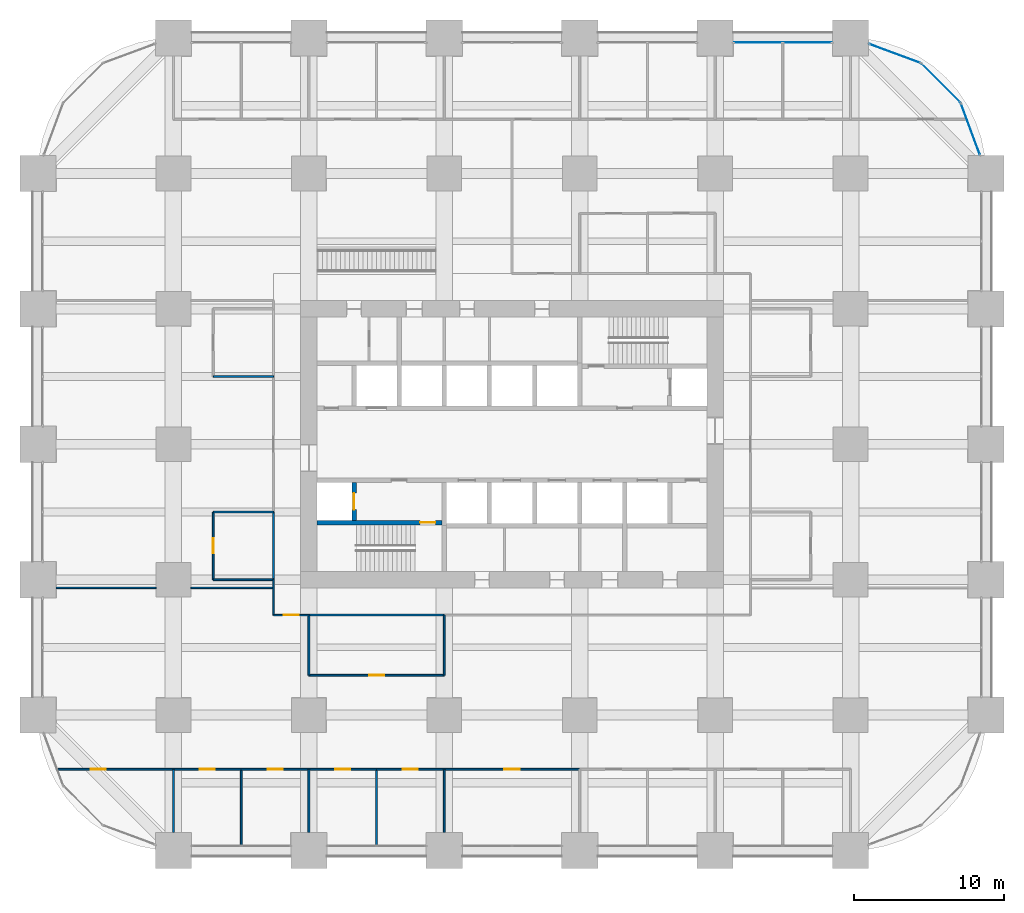
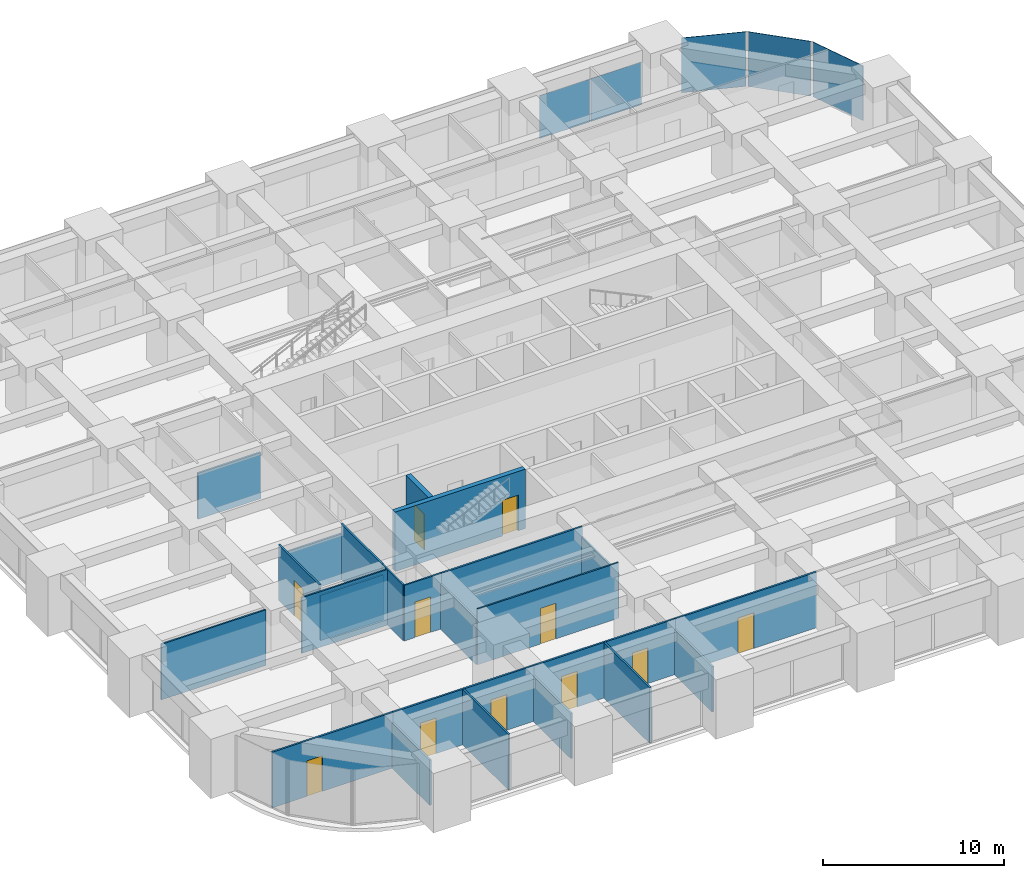
# One storey, part 39 of 45: 26 walls, 11 doors, 5 plates, 11 openings, 4 elements without a shape of their own.
"""IFC4 building model written with IfcOpenShell, lengths in metres."""

from ifc_helpers import new_model, si_unit, direction, frame, frame_2d, origin, origin_2d, place, context, subcontext, project, spatial, rectangle, extrude, material, layer, layer_set, type_object, element, fill, aggregate, save


model = new_model("IFC4")

# Units and contexts
model_context = context("Model", 3, precision=1e-05, world=origin(), true_north=direction((0.0, 1.0)))
body_context = subcontext(model_context, "Body", "Model", "MODEL_VIEW")
ifc_project = project(units=[si_unit("LENGTHUNIT", "METRE"), si_unit("AREAUNIT", "SQUARE_METRE"), si_unit("VOLUMEUNIT", "CUBIC_METRE"), si_unit("PLANEANGLEUNIT", "RADIAN"), si_unit("MASSUNIT", "GRAM", prefix="KILO")], contexts=[model_context])

# Site, building, storey
site_placement = place(None, origin())
site = spatial("IfcSite", under=ifc_project, at=site_placement, CompositionType="ELEMENT")
building_placement = place(site_placement, origin())
building = spatial("IfcBuilding", under=site, at=building_placement, Name="Zorevar Civic Tower", CompositionType="ELEMENT")
storey_placement = place(building_placement, frame((0.0, 0.0, 39.800048828125)))
storey = spatial("IfcBuildingStorey", under=building, at=storey_placement, Name="L09", CompositionType="ELEMENT", Elevation=39.800048828125)

# Curtain wall, plates
ifc_material_1 = material(Name="Dark grey solar-control glass in black aluminium frame", Category="aluminium")
curtain_wall_type = type_object("IfcCurtainWallType", Name="Curtain wall CW2 low zone", PredefinedType="NOTDEFINED", material=ifc_material_1)
curtain_wall_1_placement = place(storey_placement, origin())
curtain_wall_1 = element("IfcCurtainWall", 1, at=curtain_wall_1_placement, inside=storey, type_object=curtain_wall_type, Name="CW2 L09", PredefinedType="NOTDEFINED")
ifc_material_2 = material(Name="Dark grey solar-control glass", Category="glass")
ifc_layer_1 = layer(ifc_material_2, 0.031982421875)
ifc_layer_set_1 = layer_set([ifc_layer_1], Name="CW2 panel 32")
plate_type = type_object("IfcPlateType", Name="CW2 panel 32", PredefinedType="CURTAIN_PANEL", material=ifc_layer_set_1)
plate_1_placement = place(storey_placement, frame((47.864990234375, 53.699951171875, 0.06005859375), z_axis=(0.0, 0.0, 1.0), x_axis=(1.0, 0.0, 0.0)))
plate_1 = element("IfcPlate", 2, at=plate_1_placement, type_object=plate_type, Name="CW2 panel 1.1", PredefinedType="CURTAIN_PANEL", context=body_context, shape_type="SweptSolid", body=[
    extrude(rectangle(XDim=3.2099609375, YDim=0.031982421875, at=origin_2d()), origin(), (0.0, 0.0, 1.0), 2.889892578125),
])
plate_2_placement = place(storey_placement, frame((51.135009765625, 53.699951171875, 0.06005859375), z_axis=(0.0, 0.0, 1.0), x_axis=(1.0, 0.0, 0.0)))
plate_2 = element("IfcPlate", 3, at=plate_2_placement, type_object=plate_type, Name="CW2 panel 2.1", PredefinedType="CURTAIN_PANEL", context=body_context, shape_type="SweptSolid", body=[
    extrude(rectangle(XDim=3.2099609375, YDim=0.031982421875, at=origin_2d()), origin(), (0.0, 0.0, 1.0), 2.889892578125),
])
aggregate(curtain_wall_1, [plate_1, plate_2])

# Curtain wall, plate
curtain_wall_2_placement = place(storey_placement, origin())
curtain_wall_2 = element("IfcCurtainWall", 4, at=curtain_wall_2_placement, inside=storey, type_object=curtain_wall_type, Name="CW2 L09", PredefinedType="NOTDEFINED")
plate_3_placement = place(storey_placement, frame((61.97119140625, 47.9462890625, 0.06005859375), z_axis=(0.0, 0.0, 1.0), x_axis=(-0.346704012033, 0.937974588163, 0.0)))
plate_3 = element("IfcPlate", 5, at=plate_3_placement, type_object=plate_type, Name="CW2 panel 1.1", PredefinedType="CURTAIN_PANEL", context=body_context, shape_type="SweptSolid", body=[
    extrude(rectangle(XDim=3.603759765625, YDim=0.031982421875, at=origin_2d()), origin(), (0.0, 0.0, 1.0), 3.68994140625),
])
aggregate(curtain_wall_2, [plate_3])

curtain_wall_3_placement = place(storey_placement, origin())
curtain_wall_3 = element("IfcCurtainWall", 6, at=curtain_wall_3_placement, inside=storey, type_object=curtain_wall_type, Name="CW2 L09", PredefinedType="NOTDEFINED")
plate_4_placement = place(storey_placement, frame((60.00927734375, 51.00927734375, 0.06005859375), z_axis=(0.0, 0.0, 1.0), x_axis=(-0.707106781187, 0.707106781187, 0.0)))
plate_4 = element("IfcPlate", 7, at=plate_4_placement, type_object=plate_type, Name="CW2 panel 1.1", PredefinedType="CURTAIN_PANEL", context=body_context, shape_type="SweptSolid", body=[
    extrude(rectangle(XDim=3.603759765625, YDim=0.031982421875, at=origin_2d()), origin(), (0.0, 0.0, 1.0), 3.68994140625),
])
aggregate(curtain_wall_3, [plate_4])

curtain_wall_4_placement = place(storey_placement, origin())
curtain_wall_4 = element("IfcCurtainWall", 8, at=curtain_wall_4_placement, inside=storey, type_object=curtain_wall_type, Name="CW2 L09", PredefinedType="NOTDEFINED")
plate_5_placement = place(storey_placement, frame((56.9462890625, 52.97119140625, 0.06005859375), z_axis=(0.0, 0.0, 1.0), x_axis=(-0.937974588163, 0.346704012033, 0.0)))
plate_5 = element("IfcPlate", 9, at=plate_5_placement, type_object=plate_type, Name="CW2 panel 1.1", PredefinedType="CURTAIN_PANEL", context=body_context, shape_type="SweptSolid", body=[
    extrude(rectangle(XDim=3.603759765625, YDim=0.031982421875, at=origin_2d()), origin(), (0.0, 0.0, 1.0), 3.68994140625),
])
aggregate(curtain_wall_4, [plate_5])

# Wall, opening, door
ifc_material_3 = material(Name="Laminated glass in black aluminium frame", Category="aluminium")
ifc_layer_2 = layer(ifc_material_3, 0.10009765625)
ifc_layer_set_2 = layer_set([ifc_layer_2], Name="Glazed partition 100")
wall_type_1 = type_object("IfcWallType", Name="Glazed partition 100", PredefinedType="PARTITIONING", material=ifc_layer_set_2)
wall_1_placement = place(storey_placement, frame((18.0, 11.64990234375, 0.0), z_axis=(0.0, 0.0, 1.0), x_axis=(1.0, 0.0, 0.0)))
wall_1 = element("IfcWall", 10, at=wall_1_placement, inside=storey, type_object=wall_type_1, Name="Glazed partition 100 L09", PredefinedType="PARTITIONING", context=body_context, shape_type="SweptSolid", body=[
    extrude(rectangle(XDim=9.0, YDim=0.10009765625, at=frame_2d((4.5, 0.0))), origin(), (0.0, 0.0, 1.0), 3.75),
])
opening_1_placement = place(wall_1_placement, frame((4.0, 0.0, 0.0)))
opening_1 = element("IfcOpeningElement", 11, at=opening_1_placement, cuts=wall_1, Name="Opening L09.27", PredefinedType="OPENING", context=body_context, shape_type="SweptSolid", body=[
    extrude(rectangle(XDim=1.0, YDim=2.39990234375, at=frame_2d((0.5, 1.199951171875))), frame((0.0, 0.06005859375, 0.0), z_axis=(0.0, -1.0, 0.0), x_axis=(1.0, 0.0, 0.0)), (0.0, 0.0, 1.0), 0.1201171875),
])
ifc_material_4 = material(Name="Timber door set", Category="wood")
door_type_1 = type_object("IfcDoorType", Name="Glazed door GD1 1000x2400", OperationType="SINGLE_SWING_LEFT", PredefinedType="DOOR", material=ifc_material_4)
door_1_placement = place(opening_1_placement, origin())
door_1 = element("IfcDoor", 12, at=door_1_placement, inside=storey, type_object=door_type_1, Name="Door L09 D1", OperationType="SINGLE_SWING_LEFT", OverallHeight=2.39990234375, OverallWidth=1.0, PredefinedType="DOOR", context=body_context, shape_type="SweptSolid", body=[
    extrude(rectangle(XDim=1.0, YDim=2.39990234375, at=frame_2d((0.5, 1.199951171875))), frame((0.0, 0.02001953125, 0.0), z_axis=(0.0, -1.0, 0.0), x_axis=(1.0, 0.0, 0.0)), (0.0, 0.0, 1.0), 0.0400390625),
])
fill(opening_1, door_1)

wall_2_placement = place(storey_placement, frame((15.64990234375, 15.64990234375, 0.0), z_axis=(0.0, 0.0, 1.0), x_axis=(1.0, 0.0, 0.0)))
wall_2 = element("IfcWall", 13, at=wall_2_placement, inside=storey, type_object=wall_type_1, Name="Glazed partition 100 L09", PredefinedType="PARTITIONING", context=body_context, shape_type="SweptSolid", body=[
    extrude(rectangle(XDim=2.35009765625, YDim=0.10009765625, at=frame_2d((1.175048828125, 0.0))), origin(), (0.0, 0.0, 1.0), 3.75),
])
opening_2_placement = place(wall_2_placement, frame((0.675048828125, 0.0, 0.0)))
opening_2 = element("IfcOpeningElement", 14, at=opening_2_placement, cuts=wall_2, Name="Opening L09.28", PredefinedType="OPENING", context=body_context, shape_type="SweptSolid", body=[
    extrude(rectangle(XDim=1.0, YDim=2.39990234375, at=frame_2d((0.5, 1.199951171875))), frame((0.0, 0.06005859375, 0.0), z_axis=(0.0, -1.0, 0.0), x_axis=(1.0, 0.0, 0.0)), (0.0, 0.0, 1.0), 0.1201171875),
])
door_2_placement = place(opening_2_placement, origin())
door_2 = element("IfcDoor", 15, at=door_2_placement, inside=storey, type_object=door_type_1, Name="Door L09 D1", OperationType="SINGLE_SWING_RIGHT", OverallHeight=2.39990234375, OverallWidth=1.0, PredefinedType="DOOR", context=body_context, shape_type="SweptSolid", body=[
    extrude(rectangle(XDim=1.0, YDim=2.39990234375, at=frame_2d((0.5, 1.199951171875))), frame((0.0, 0.02001953125, 0.0), z_axis=(0.0, -1.0, 0.0), x_axis=(1.0, 0.0, 0.0)), (0.0, 0.0, 1.0), 0.0400390625),
])
fill(opening_2, door_2)

# Walls
wall_3_placement = place(storey_placement, frame((1.199951171875, 17.449951171875, 0.0), z_axis=(0.0, 0.0, 1.0), x_axis=(1.0, 0.0, 0.0)))
element("IfcWall", 16, at=wall_3_placement, inside=storey, type_object=wall_type_1, Name="Glazed partition 100 L09", PredefinedType="PARTITIONING", context=body_context, shape_type="SweptSolid", body=[
    extrude(rectangle(XDim=6.650146484375, YDim=0.10009765625, at=frame_2d((3.3251953125, 0.0))), origin(), (0.0, 0.0, 1.0), 3.75),
])
wall_4_placement = place(storey_placement, frame((10.14990234375, 17.449951171875, 0.0), z_axis=(0.0, 0.0, 1.0), x_axis=(1.0, 0.0, 0.0)))
element("IfcWall", 17, at=wall_4_placement, inside=storey, type_object=wall_type_1, Name="Glazed partition 100 L09", PredefinedType="PARTITIONING", context=body_context, shape_type="SweptSolid", body=[
    extrude(rectangle(XDim=5.5, YDim=0.10009765625, at=frame_2d((2.75, 0.0))), origin(), (0.0, 0.0, 1.0), 3.75),
])
wall_5_placement = place(storey_placement, frame((15.64990234375, 15.64990234375, 0.0), z_axis=(0.0, 0.0, 1.0), x_axis=(0.0, 1.0, 0.0)))
element("IfcWall", 18, at=wall_5_placement, inside=storey, type_object=wall_type_1, Name="Glazed partition 100 L09", PredefinedType="PARTITIONING", context=body_context, shape_type="SweptSolid", body=[
    extrude(rectangle(XDim=2.35009765625, YDim=0.10009765625, at=frame_2d((1.175048828125, 0.0))), origin(), (0.0, 0.0, 1.0), 3.75),
])

# Wall, opening, door
ifc_material_5 = material(Name="Concrete C40/50", Category="concrete")
ifc_layer_3 = layer(ifc_material_5, 0.300048828125)
ifc_layer_set_3 = layer_set([ifc_layer_3], Name="Inner core wall 300")
wall_type_2 = type_object("IfcWallType", Name="Inner core wall 300", PredefinedType="SHEAR", material=ifc_layer_set_3)
wall_6_placement = place(storey_placement, frame((18.550048828125, 21.800048828125, 0.0), z_axis=(0.0, 0.0, 1.0), x_axis=(1.0, 0.0, 0.0)))
wall_6 = element("IfcWall", 19, at=wall_6_placement, inside=storey, type_object=wall_type_2, Name="Inner core wall S00 L09", PredefinedType="SHEAR", context=body_context, shape_type="SweptSolid", body=[
    extrude(rectangle(XDim=8.300048828125, YDim=0.300048828125, at=frame_2d((4.14990234375, 0.0))), origin(), (0.0, 0.0, 1.0), 4.0),
])
opening_3_placement = place(wall_6_placement, frame((6.85009765625, 0.0, 0.0)))
opening_3 = element("IfcOpeningElement", 20, at=opening_3_placement, cuts=wall_6, Name="Opening L09.11", PredefinedType="OPENING", context=body_context, shape_type="SweptSolid", body=[
    extrude(rectangle(XDim=1.0, YDim=2.39990234375, at=frame_2d((0.5, 1.199951171875))), frame((0.0, 0.159912109375, 0.0), z_axis=(0.0, -1.0, 0.0), x_axis=(1.0, 0.0, 0.0)), (0.0, 0.0, 1.0), 0.320068359375),
])
ifc_material_6 = material(Name="Steel door set", Category="steel")
door_type_2 = type_object("IfcDoorType", Name="Fire door FD1 1000x2400", OperationType="SINGLE_SWING_LEFT", PredefinedType="DOOR", material=ifc_material_6)
door_3_placement = place(opening_3_placement, origin())
door_3 = element("IfcDoor", 21, at=door_3_placement, inside=storey, type_object=door_type_2, Name="Door L09 10", OperationType="SINGLE_SWING_RIGHT", OverallHeight=2.39990234375, OverallWidth=1.0, PredefinedType="DOOR", context=body_context, shape_type="SweptSolid", body=[
    extrude(rectangle(XDim=1.0, YDim=2.39990234375, at=frame_2d((0.5, 1.199951171875))), frame((0.0, 0.030029296875, 0.0), z_axis=(0.0, -1.0, 0.0), x_axis=(1.0, 0.0, 0.0)), (0.0, 0.0, 1.0), 0.06005859375),
])
fill(opening_3, door_3)

wall_7_placement = place(storey_placement, frame((21.0, 21.949951171875, 0.0), z_axis=(0.0, 0.0, 1.0), x_axis=(0.0, 1.0, 0.0)))
wall_7 = element("IfcWall", 22, at=wall_7_placement, inside=storey, type_object=wall_type_2, Name="Inner core wall S02 L09", PredefinedType="SHEAR", context=body_context, shape_type="SweptSolid", body=[
    extrude(rectangle(XDim=2.5, YDim=0.300048828125, at=frame_2d((1.25, 0.0))), origin(), (0.0, 0.0, 1.0), 4.0),
])
opening_4_placement = place(wall_7_placement, frame((0.699951171875, 0.0, 0.0)))
opening_4 = element("IfcOpeningElement", 23, at=opening_4_placement, cuts=wall_7, Name="Opening L09.FL1", PredefinedType="OPENING", context=body_context, shape_type="SweptSolid", body=[
    extrude(rectangle(XDim=1.10009765625, YDim=2.39990234375, at=frame_2d((0.550048828125, 1.199951171875))), frame((0.0, 0.159912109375, 0.0), z_axis=(0.0, -1.0, 0.0), x_axis=(1.0, 0.0, 0.0)), (0.0, 0.0, 1.0), 0.320068359375),
])
ifc_material_7 = material(Name="Steel door set", Category="steel")
door_type_3 = type_object("IfcDoorType", Name="Firefighting lift landing door LD3 1100x2400", OperationType="DOUBLE_DOOR_SLIDING", PredefinedType="DOOR", material=ifc_material_7)
door_4_placement = place(opening_4_placement, origin())
door_4 = element("IfcDoor", 24, at=door_4_placement, inside=storey, type_object=door_type_3, Name="Landing door FL1 L09", OperationType="DOUBLE_DOOR_SLIDING", OverallHeight=2.39990234375, OverallWidth=1.10009765625, PredefinedType="DOOR", context=body_context, shape_type="SweptSolid", body=[
    extrude(rectangle(XDim=1.10009765625, YDim=2.39990234375, at=frame_2d((0.550048828125, 1.199951171875))), frame((0.0, 0.030029296875, 0.0), z_axis=(0.0, -1.0, 0.0), x_axis=(1.0, 0.0, 0.0)), (0.0, 0.0, 1.0), 0.06005859375),
])
fill(opening_4, door_4)

ifc_material_8 = material(Name="Gypsum board on steel studs", Category="steel")
ifc_layer_4 = layer(ifc_material_8, 0.1201171875)
ifc_layer_set_4 = layer_set([ifc_layer_4], Name="Partition 120")
wall_type_3 = type_object("IfcWallType", Name="Partition 120", PredefinedType="PARTITIONING", material=ifc_layer_set_4)
wall_8_placement = place(storey_placement, frame((9.0, 5.39990234375, 0.0), z_axis=(0.0, 0.0, 1.0), x_axis=(1.0, 0.0, 0.0)))
wall_8 = element("IfcWall", 25, at=wall_8_placement, inside=storey, type_object=wall_type_3, Name="Partition 120 L09", PredefinedType="PARTITIONING", context=body_context, shape_type="SweptSolid", body=[
    extrude(rectangle(XDim=4.5, YDim=0.1201171875, at=frame_2d((2.25, 0.0))), origin(), (0.0, 0.0, 1.0), 3.75),
])
opening_5_placement = place(wall_8_placement, frame((1.75, 0.0, 0.0)))
opening_5 = element("IfcOpeningElement", 26, at=opening_5_placement, cuts=wall_8, Name="Opening L09.17", PredefinedType="OPENING", context=body_context, shape_type="SweptSolid", body=[
    extrude(rectangle(XDim=1.0, YDim=2.39990234375, at=frame_2d((0.5, 1.199951171875))), frame((0.0, 0.070068359375, 0.0), z_axis=(0.0, -1.0, 0.0), x_axis=(1.0, 0.0, 0.0)), (0.0, 0.0, 1.0), 0.14013671875),
])
ifc_material_9 = material(Name="Timber door set", Category="wood")
door_type_4 = type_object("IfcDoorType", Name="Door D1 1000x2400", OperationType="SINGLE_SWING_LEFT", PredefinedType="DOOR", material=ifc_material_9)
door_5_placement = place(opening_5_placement, origin())
door_5 = element("IfcDoor", 27, at=door_5_placement, inside=storey, type_object=door_type_4, Name="Door L09 D1", OperationType="SINGLE_SWING_RIGHT", OverallHeight=2.39990234375, OverallWidth=1.0, PredefinedType="DOOR", context=body_context, shape_type="SweptSolid", body=[
    extrude(rectangle(XDim=1.0, YDim=2.39990234375, at=frame_2d((0.5, 1.199951171875))), frame((0.0, 0.02490234375, 0.0), z_axis=(0.0, -1.0, 0.0), x_axis=(1.0, 0.0, 0.0)), (0.0, 0.0, 1.0), 0.050048828125),
])
fill(opening_5, door_5)

wall_9_placement = place(storey_placement, frame((13.5, 5.39990234375, 0.0), z_axis=(0.0, 0.0, 1.0), x_axis=(1.0, 0.0, 0.0)))
wall_9 = element("IfcWall", 28, at=wall_9_placement, inside=storey, type_object=wall_type_3, Name="Partition 120 L09", PredefinedType="PARTITIONING", context=body_context, shape_type="SweptSolid", body=[
    extrude(rectangle(XDim=4.5, YDim=0.1201171875, at=frame_2d((2.25, 0.0))), origin(), (0.0, 0.0, 1.0), 3.75),
])
opening_6_placement = place(wall_9_placement, frame((1.75, 0.0, 0.0)))
opening_6 = element("IfcOpeningElement", 29, at=opening_6_placement, cuts=wall_9, Name="Opening L09.18", PredefinedType="OPENING", context=body_context, shape_type="SweptSolid", body=[
    extrude(rectangle(XDim=1.0, YDim=2.39990234375, at=frame_2d((0.5, 1.199951171875))), frame((0.0, 0.070068359375, 0.0), z_axis=(0.0, -1.0, 0.0), x_axis=(1.0, 0.0, 0.0)), (0.0, 0.0, 1.0), 0.14013671875),
])
door_6_placement = place(opening_6_placement, origin())
door_6 = element("IfcDoor", 30, at=door_6_placement, inside=storey, type_object=door_type_4, Name="Door L09 D1", OperationType="SINGLE_SWING_RIGHT", OverallHeight=2.39990234375, OverallWidth=1.0, PredefinedType="DOOR", context=body_context, shape_type="SweptSolid", body=[
    extrude(rectangle(XDim=1.0, YDim=2.39990234375, at=frame_2d((0.5, 1.199951171875))), frame((0.0, 0.02490234375, 0.0), z_axis=(0.0, -1.0, 0.0), x_axis=(1.0, 0.0, 0.0)), (0.0, 0.0, 1.0), 0.050048828125),
])
fill(opening_6, door_6)

wall_10_placement = place(storey_placement, frame((18.0, 5.39990234375, 0.0), z_axis=(0.0, 0.0, 1.0), x_axis=(1.0, 0.0, 0.0)))
wall_10 = element("IfcWall", 31, at=wall_10_placement, inside=storey, type_object=wall_type_3, Name="Partition 120 L09", PredefinedType="PARTITIONING", context=body_context, shape_type="SweptSolid", body=[
    extrude(rectangle(XDim=4.5, YDim=0.1201171875, at=frame_2d((2.25, 0.0))), origin(), (0.0, 0.0, 1.0), 3.75),
])
opening_7_placement = place(wall_10_placement, frame((1.75, 0.0, 0.0)))
opening_7 = element("IfcOpeningElement", 32, at=opening_7_placement, cuts=wall_10, Name="Opening L09.19", PredefinedType="OPENING", context=body_context, shape_type="SweptSolid", body=[
    extrude(rectangle(XDim=1.0, YDim=2.39990234375, at=frame_2d((0.5, 1.199951171875))), frame((0.0, 0.070068359375, 0.0), z_axis=(0.0, -1.0, 0.0), x_axis=(1.0, 0.0, 0.0)), (0.0, 0.0, 1.0), 0.14013671875),
])
door_7_placement = place(opening_7_placement, origin())
door_7 = element("IfcDoor", 33, at=door_7_placement, inside=storey, type_object=door_type_4, Name="Door L09 D1", OperationType="SINGLE_SWING_RIGHT", OverallHeight=2.39990234375, OverallWidth=1.0, PredefinedType="DOOR", context=body_context, shape_type="SweptSolid", body=[
    extrude(rectangle(XDim=1.0, YDim=2.39990234375, at=frame_2d((0.5, 1.199951171875))), frame((0.0, 0.02490234375, 0.0), z_axis=(0.0, -1.0, 0.0), x_axis=(1.0, 0.0, 0.0)), (0.0, 0.0, 1.0), 0.050048828125),
])
fill(opening_7, door_7)

wall_11_placement = place(storey_placement, frame((22.5, 5.39990234375, 0.0), z_axis=(0.0, 0.0, 1.0), x_axis=(1.0, 0.0, 0.0)))
wall_11 = element("IfcWall", 34, at=wall_11_placement, inside=storey, type_object=wall_type_3, Name="Partition 120 L09", PredefinedType="PARTITIONING", context=body_context, shape_type="SweptSolid", body=[
    extrude(rectangle(XDim=4.5, YDim=0.1201171875, at=frame_2d((2.25, 0.0))), origin(), (0.0, 0.0, 1.0), 3.75),
])
opening_8_placement = place(wall_11_placement, frame((1.75, 0.0, 0.0)))
opening_8 = element("IfcOpeningElement", 35, at=opening_8_placement, cuts=wall_11, Name="Opening L09.20", PredefinedType="OPENING", context=body_context, shape_type="SweptSolid", body=[
    extrude(rectangle(XDim=1.0, YDim=2.39990234375, at=frame_2d((0.5, 1.199951171875))), frame((0.0, 0.070068359375, 0.0), z_axis=(0.0, -1.0, 0.0), x_axis=(1.0, 0.0, 0.0)), (0.0, 0.0, 1.0), 0.14013671875),
])
door_8_placement = place(opening_8_placement, origin())
door_8 = element("IfcDoor", 36, at=door_8_placement, inside=storey, type_object=door_type_4, Name="Door L09 D1", OperationType="SINGLE_SWING_RIGHT", OverallHeight=2.39990234375, OverallWidth=1.0, PredefinedType="DOOR", context=body_context, shape_type="SweptSolid", body=[
    extrude(rectangle(XDim=1.0, YDim=2.39990234375, at=frame_2d((0.5, 1.199951171875))), frame((0.0, 0.02490234375, 0.0), z_axis=(0.0, -1.0, 0.0), x_axis=(1.0, 0.0, 0.0)), (0.0, 0.0, 1.0), 0.050048828125),
])
fill(opening_8, door_8)

wall_12_placement = place(storey_placement, frame((27.0, 5.39990234375, 0.0), z_axis=(0.0, 0.0, 1.0), x_axis=(1.0, 0.0, 0.0)))
wall_12 = element("IfcWall", 37, at=wall_12_placement, inside=storey, type_object=wall_type_3, Name="Partition 120 L09", PredefinedType="PARTITIONING", context=body_context, shape_type="SweptSolid", body=[
    extrude(rectangle(XDim=9.0, YDim=0.1201171875, at=frame_2d((4.5, 0.0))), origin(), (0.0, 0.0, 1.0), 3.75),
])
opening_9_placement = place(wall_12_placement, frame((4.0, 0.0, 0.0)))
opening_9 = element("IfcOpeningElement", 38, at=opening_9_placement, cuts=wall_12, Name="Opening L09.21", PredefinedType="OPENING", context=body_context, shape_type="SweptSolid", body=[
    extrude(rectangle(XDim=1.0, YDim=2.39990234375, at=frame_2d((0.5, 1.199951171875))), frame((0.0, 0.070068359375, 0.0), z_axis=(0.0, -1.0, 0.0), x_axis=(1.0, 0.0, 0.0)), (0.0, 0.0, 1.0), 0.14013671875),
])
door_9_placement = place(opening_9_placement, origin())
door_9 = element("IfcDoor", 39, at=door_9_placement, inside=storey, type_object=door_type_4, Name="Door L09 D1", OperationType="SINGLE_SWING_RIGHT", OverallHeight=2.39990234375, OverallWidth=1.0, PredefinedType="DOOR", context=body_context, shape_type="SweptSolid", body=[
    extrude(rectangle(XDim=1.0, YDim=2.39990234375, at=frame_2d((0.5, 1.199951171875))), frame((0.0, 0.02490234375, 0.0), z_axis=(0.0, -1.0, 0.0), x_axis=(1.0, 0.0, 0.0)), (0.0, 0.0, 1.0), 0.050048828125),
])
fill(opening_9, door_9)

wall_13_placement = place(storey_placement, frame((1.3095703125, 5.39990234375, 0.0), z_axis=(0.0, 0.0, 1.0), x_axis=(1.0, 0.0, 0.0)))
wall_13 = element("IfcWall", 40, at=wall_13_placement, inside=storey, type_object=wall_type_3, Name="Partition 120 L09", PredefinedType="PARTITIONING", context=body_context, shape_type="SweptSolid", body=[
    extrude(rectangle(XDim=7.6904296875, YDim=0.1201171875, at=frame_2d((3.84521484375, 0.0))), origin(), (0.0, 0.0, 1.0), 3.75),
])
opening_10_placement = place(wall_13_placement, frame((2.1904296875, 0.0, 0.0)))
opening_10 = element("IfcOpeningElement", 41, at=opening_10_placement, cuts=wall_13, Name="Opening L09.26", PredefinedType="OPENING", context=body_context, shape_type="SweptSolid", body=[
    extrude(rectangle(XDim=1.0, YDim=2.39990234375, at=frame_2d((0.5, 1.199951171875))), frame((0.0, 0.070068359375, 0.0), z_axis=(0.0, -1.0, 0.0), x_axis=(1.0, 0.0, 0.0)), (0.0, 0.0, 1.0), 0.14013671875),
])
door_10_placement = place(opening_10_placement, origin())
door_10 = element("IfcDoor", 42, at=door_10_placement, inside=storey, type_object=door_type_4, Name="Door L09 D1", OperationType="SINGLE_SWING_RIGHT", OverallHeight=2.39990234375, OverallWidth=1.0, PredefinedType="DOOR", context=body_context, shape_type="SweptSolid", body=[
    extrude(rectangle(XDim=1.0, YDim=2.39990234375, at=frame_2d((0.5, 1.199951171875))), frame((0.0, 0.02490234375, 0.0), z_axis=(0.0, -1.0, 0.0), x_axis=(1.0, 0.0, 0.0)), (0.0, 0.0, 1.0), 0.050048828125),
])
fill(opening_10, door_10)

# Walls
wall_14_placement = place(storey_placement, frame((18.0, 15.64990234375, 0.0), z_axis=(0.0, 0.0, 1.0), x_axis=(1.0, 0.0, 0.0)))
element("IfcWall", 43, at=wall_14_placement, inside=storey, type_object=wall_type_3, Name="Partition 120 L09", PredefinedType="PARTITIONING", context=body_context, shape_type="SweptSolid", body=[
    extrude(rectangle(XDim=9.0, YDim=0.1201171875, at=frame_2d((4.5, 0.0))), origin(), (0.0, 0.0, 1.0), 3.75),
])
wall_15_placement = place(storey_placement, frame((11.64990234375, 18.0, 0.0), z_axis=(0.0, 0.0, 1.0), x_axis=(1.0, 0.0, 0.0)))
element("IfcWall", 44, at=wall_15_placement, inside=storey, type_object=wall_type_3, Name="Partition 120 L09", PredefinedType="PARTITIONING", context=body_context, shape_type="SweptSolid", body=[
    extrude(rectangle(XDim=4.0, YDim=0.1201171875, at=frame_2d((2.0, 0.0))), origin(), (0.0, 0.0, 1.0), 3.050048828125),
])
for number, where, z_axis, x_axis, name in (
    (45, (11.64990234375, 22.5, 0.0), (0.0, 0.0, 1.0), (1.0, 0.0, 0.0), "Partition 120 L09"),
    (46, (11.64990234375, 31.5, 0.0), (0.0, 0.0, 1.0), (1.0, 0.0, 0.0), "Partition 120 L09"),
):
    element("IfcWall", number, at=place(storey_placement, frame(where, z_axis=z_axis, x_axis=x_axis)), inside=storey, type_object=wall_type_3, Name=name, PredefinedType="PARTITIONING", context=body_context, shape_type="SweptSolid", body=[
        extrude(rectangle(XDim=4.0, YDim=0.1201171875, at=frame_2d((2.0, 0.0))), origin(), (0.0, 0.0, 1.0), 3.099853515625),
    ])
wall_16_placement = place(storey_placement, frame((9.0, 1.199951171875, 0.0), z_axis=(0.0, 0.0, 1.0), x_axis=(0.0, 1.0, 0.0)))
element("IfcWall", 47, at=wall_16_placement, inside=storey, type_object=wall_type_3, Name="Partition 120 L09", PredefinedType="PARTITIONING", context=body_context, shape_type="SweptSolid", body=[
    extrude(rectangle(XDim=4.199951171875, YDim=0.1201171875, at=frame_2d((2.10009765625, 0.0))), origin(), (0.0, 0.0, 1.0), 3.050048828125),
])

# Wall, opening, door
wall_17_placement = place(storey_placement, frame((11.64990234375, 18.0, 0.0), z_axis=(0.0, 0.0, 1.0), x_axis=(0.0, 1.0, 0.0)))
wall_17 = element("IfcWall", 48, at=wall_17_placement, inside=storey, type_object=wall_type_3, Name="Partition 120 L09", PredefinedType="PARTITIONING", context=body_context, shape_type="SweptSolid", body=[
    extrude(rectangle(XDim=4.5, YDim=0.1201171875, at=frame_2d((2.25, 0.0))), origin(), (0.0, 0.0, 1.0), 3.75),
])
opening_11_placement = place(wall_17_placement, frame((1.75, 0.0, 0.0)))
opening_11 = element("IfcOpeningElement", 49, at=opening_11_placement, cuts=wall_17, Name="Opening L09.42", PredefinedType="OPENING", context=body_context, shape_type="SweptSolid", body=[
    extrude(rectangle(XDim=1.0, YDim=2.39990234375, at=frame_2d((0.5, 1.199951171875))), frame((0.0, 0.070068359375, 0.0), z_axis=(0.0, -1.0, 0.0), x_axis=(1.0, 0.0, 0.0)), (0.0, 0.0, 1.0), 0.14013671875),
])
door_11_placement = place(opening_11_placement, origin())
door_11 = element("IfcDoor", 50, at=door_11_placement, inside=storey, type_object=door_type_4, Name="Door L09 D1", OperationType="SINGLE_SWING_RIGHT", OverallHeight=2.39990234375, OverallWidth=1.0, PredefinedType="DOOR", context=body_context, shape_type="SweptSolid", body=[
    extrude(rectangle(XDim=1.0, YDim=2.39990234375, at=frame_2d((0.5, 1.199951171875))), frame((0.0, 0.02490234375, 0.0), z_axis=(0.0, -1.0, 0.0), x_axis=(1.0, 0.0, 0.0)), (0.0, 0.0, 1.0), 0.050048828125),
])
fill(opening_11, door_11)

# Walls
wall_18_placement = place(storey_placement, frame((13.5, 0.31005859375, 0.0), z_axis=(0.0, 0.0, 1.0), x_axis=(0.0, 1.0, 0.0)))
element("IfcWall", 51, at=wall_18_placement, inside=storey, type_object=wall_type_3, Name="Partition 120 L09", PredefinedType="PARTITIONING", context=body_context, shape_type="SweptSolid", body=[
    extrude(rectangle(XDim=5.08984375, YDim=0.1201171875, at=frame_2d((2.544921875, 0.0))), origin(), (0.0, 0.0, 1.0), 3.75),
])
wall_19_placement = place(storey_placement, frame((15.64990234375, 18.0, 0.0), z_axis=(0.0, 0.0, 1.0), x_axis=(0.0, 1.0, 0.0)))
element("IfcWall", 52, at=wall_19_placement, inside=storey, type_object=wall_type_3, Name="Partition 120 L09", PredefinedType="PARTITIONING", context=body_context, shape_type="SweptSolid", body=[
    extrude(rectangle(XDim=4.5, YDim=0.1201171875, at=frame_2d((2.25, 0.0))), origin(), (0.0, 0.0, 1.0), 3.75),
])
wall_20_placement = place(storey_placement, frame((18.0, 1.199951171875, 0.0), z_axis=(0.0, 0.0, 1.0), x_axis=(0.0, 1.0, 0.0)))
element("IfcWall", 53, at=wall_20_placement, inside=storey, type_object=wall_type_3, Name="Partition 120 L09", PredefinedType="PARTITIONING", context=body_context, shape_type="SweptSolid", body=[
    extrude(rectangle(XDim=4.199951171875, YDim=0.1201171875, at=frame_2d((2.10009765625, 0.0))), origin(), (0.0, 0.0, 1.0), 3.050048828125),
])
wall_21_placement = place(storey_placement, frame((18.0, 11.64990234375, 0.0), z_axis=(0.0, 0.0, 1.0), x_axis=(0.0, 1.0, 0.0)))
element("IfcWall", 54, at=wall_21_placement, inside=storey, type_object=wall_type_3, Name="Partition 120 L09", PredefinedType="PARTITIONING", context=body_context, shape_type="SweptSolid", body=[
    extrude(rectangle(XDim=4.0, YDim=0.1201171875, at=frame_2d((2.0, 0.0))), origin(), (0.0, 0.0, 1.0), 3.050048828125),
])
wall_22_placement = place(storey_placement, frame((22.5, 0.31005859375, 0.0), z_axis=(0.0, 0.0, 1.0), x_axis=(0.0, 1.0, 0.0)))
element("IfcWall", 55, at=wall_22_placement, inside=storey, type_object=wall_type_3, Name="Partition 120 L09", PredefinedType="PARTITIONING", context=body_context, shape_type="SweptSolid", body=[
    extrude(rectangle(XDim=5.08984375, YDim=0.1201171875, at=frame_2d((2.544921875, 0.0))), origin(), (0.0, 0.0, 1.0), 3.75),
])
wall_23_placement = place(storey_placement, frame((27.0, 1.199951171875, 0.0), z_axis=(0.0, 0.0, 1.0), x_axis=(0.0, 1.0, 0.0)))
element("IfcWall", 56, at=wall_23_placement, inside=storey, type_object=wall_type_3, Name="Partition 120 L09", PredefinedType="PARTITIONING", context=body_context, shape_type="SweptSolid", body=[
    extrude(rectangle(XDim=4.199951171875, YDim=0.1201171875, at=frame_2d((2.10009765625, 0.0))), origin(), (0.0, 0.0, 1.0), 3.050048828125),
])
wall_24_placement = place(storey_placement, frame((27.0, 11.64990234375, 0.0), z_axis=(0.0, 0.0, 1.0), x_axis=(0.0, 1.0, 0.0)))
element("IfcWall", 57, at=wall_24_placement, inside=storey, type_object=wall_type_3, Name="Partition 120 L09", PredefinedType="PARTITIONING", context=body_context, shape_type="SweptSolid", body=[
    extrude(rectangle(XDim=4.0, YDim=0.1201171875, at=frame_2d((2.0, 0.0))), origin(), (0.0, 0.0, 1.0), 3.050048828125),
])

save(model, "model.ifc")
